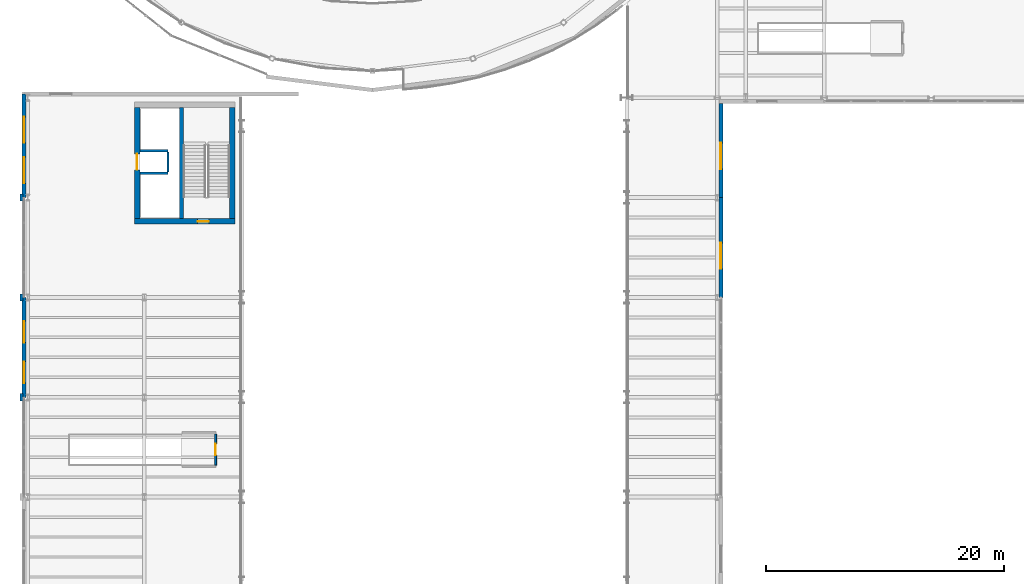
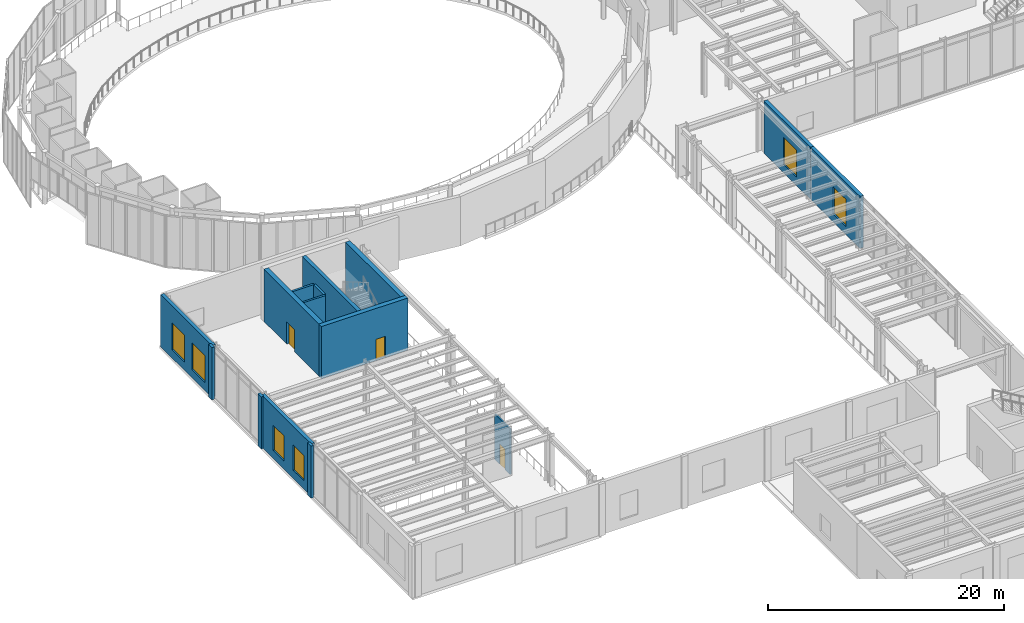
# One storey, part 75 of 98: 15 walls, 6 windows, 3 doors, 9 openings.
"""IFC4 building model written with IfcOpenShell, lengths in metres."""

from ifc_helpers import new_model, si_unit, direction, frame, frame_2d, origin, place, context, subcontext, project, spatial, rectangle, extrude, material, layer, layer_set, type_object, element, fill, save


model = new_model("IFC4")

# Units and contexts
model_context = context("Model", 3, precision=1e-05, world=origin(), true_north=direction((0.0, 1.0)))
body_context = subcontext(model_context, "Body", "Model", "MODEL_VIEW")
ifc_project = project(units=[si_unit("LENGTHUNIT", "METRE"), si_unit("AREAUNIT", "SQUARE_METRE"), si_unit("VOLUMEUNIT", "CUBIC_METRE"), si_unit("PLANEANGLEUNIT", "RADIAN"), si_unit("MASSUNIT", "GRAM", prefix="KILO")], contexts=[model_context])

# Site, building, storey
site_placement = place(None, origin())
site = spatial("IfcSite", under=ifc_project, at=site_placement, CompositionType="ELEMENT")
building_placement = place(site_placement, origin())
building = spatial("IfcBuilding", under=site, at=building_placement, Name="Sollismere Congress Hotel", CompositionType="ELEMENT")
storey_placement = place(building_placement, frame((0.0, 0.0, 5.39990234375)))
storey = spatial("IfcBuildingStorey", under=building, at=storey_placement, Name="L01", CompositionType="ELEMENT", Elevation=5.39990234375)

# Wall, openings, windows
ifc_material_1 = material(Name="Colorado Buff Sandstone and Limestone Backup C40/50", Category="masonry")
ifc_layer_1 = layer(ifc_material_1, 0.340087890625, Name="Colorado Buff Sandstone and Limestone Backup C40/50")
ifc_layer_set_1 = layer_set([ifc_layer_1], Name="Colorado Buff Sandstone and Limestone Backup C40/50")
wall_type_1 = type_object("IfcWallType", Name="WL-EXT340", PredefinedType="STANDARD", material=ifc_layer_set_1)
wall_1_placement = place(storey_placement, frame((-0.31005859375, 41.60009765625, 0.0), z_axis=(0.0, 0.0, 1.0), x_axis=(0.0, 1.0, 0.0)))
wall_1 = element("IfcWall", 1, at=wall_1_placement, inside=storey, type_object=wall_type_1, Name="Exterior wall EW-L01-121", PredefinedType="STANDARD", context=body_context, shape_type="SweptSolid", body=[
    extrude(rectangle(XDim=8.39990234375, YDim=0.340087890625, at=frame_2d((4.199951171875, 0.0))), origin(), (0.0, 0.0, 1.0), 5.400146484375),
])
opening_1_placement = place(wall_1_placement, frame((1.199951171875, 0.0, 0.85009765625)))
opening_1 = element("IfcOpeningElement", 2, at=opening_1_placement, cuts=wall_1, Name="Opening W-L01-112", PredefinedType="OPENING", context=body_context, shape_type="SweptSolid", body=[
    extrude(rectangle(XDim=1.800048828125, YDim=2.60009765625, at=frame_2d((0.89990234375, 1.300048828125))), frame((0.0, 0.179931640625, 0.0), z_axis=(0.0, -1.0, 0.0), x_axis=(1.0, 0.0, 0.0)), (0.0, 0.0, 1.0), 0.360107421875),
])
opening_2_placement = place(wall_1_placement, frame((4.60009765625, 0.0, 0.85009765625)))
opening_2 = element("IfcOpeningElement", 3, at=opening_2_placement, cuts=wall_1, Name="Opening W-L01-113", PredefinedType="OPENING", context=body_context, shape_type="SweptSolid", body=[
    extrude(rectangle(XDim=1.800048828125, YDim=2.60009765625, at=frame_2d((0.89990234375, 1.300048828125))), frame((0.0, 0.179931640625, 0.0), z_axis=(0.0, -1.0, 0.0), x_axis=(1.0, 0.0, 0.0)), (0.0, 0.0, 1.0), 0.360107421875),
])
ifc_material_2 = material(Name="Thermally Broken Bronze Aluminum & Low-E Glass", Category="aluminium")
window_type_1 = type_object("IfcWindowType", Name="WN-A180x260", PartitioningType="SINGLE_PANEL", PredefinedType="WINDOW", material=ifc_material_2)
window_1_placement = place(opening_1_placement, origin())
window_1 = element("IfcWindow", 4, at=window_1_placement, inside=storey, type_object=window_type_1, Name="WIN-W-L01-112", OverallHeight=2.60009765625, OverallWidth=1.800048828125, PartitioningType="SINGLE_PANEL", PredefinedType="WINDOW", context=body_context, shape_type="SweptSolid", body=[
    extrude(rectangle(XDim=1.800048828125, YDim=2.60009765625, at=frame_2d((0.89990234375, 1.300048828125))), frame((0.0, 0.030029296875, 0.0), z_axis=(0.0, -1.0, 0.0), x_axis=(1.0, 0.0, 0.0)), (0.0, 0.0, 1.0), 0.06005859375),
])
fill(opening_1, window_1)
window_2_placement = place(opening_2_placement, origin())
window_2 = element("IfcWindow", 5, at=window_2_placement, inside=storey, type_object=window_type_1, Name="WIN-W-L01-113", OverallHeight=2.60009765625, OverallWidth=1.800048828125, PartitioningType="SINGLE_PANEL", PredefinedType="WINDOW", context=body_context, shape_type="SweptSolid", body=[
    extrude(rectangle(XDim=1.800048828125, YDim=2.60009765625, at=frame_2d((0.89990234375, 1.300048828125))), frame((0.0, 0.030029296875, 0.0), z_axis=(0.0, -1.0, 0.0), x_axis=(1.0, 0.0, 0.0)), (0.0, 0.0, 1.0), 0.06005859375),
])
fill(opening_2, window_2)

wall_2_placement = place(storey_placement, frame((-0.31005859375, 58.39990234375, 0.0), z_axis=(0.0, 0.0, 1.0), x_axis=(0.0, 1.0, 0.0)))
wall_2 = element("IfcWall", 6, at=wall_2_placement, inside=storey, type_object=wall_type_1, Name="Exterior wall EW-L01-124", PredefinedType="STANDARD", context=body_context, shape_type="SweptSolid", body=[
    extrude(rectangle(XDim=8.7001953125, YDim=0.340087890625, at=frame_2d((4.35009765625, 0.0))), origin(), (0.0, 0.0, 1.0), 5.400146484375),
])
opening_3_placement = place(wall_2_placement, frame((1.199951171875, 0.0, 0.85009765625)))
opening_3 = element("IfcOpeningElement", 7, at=opening_3_placement, cuts=wall_2, Name="Opening W-L01-114", PredefinedType="OPENING", context=body_context, shape_type="SweptSolid", body=[
    extrude(rectangle(XDim=2.199951171875, YDim=2.800048828125, at=frame_2d((1.10009765625, 1.39990234375))), frame((0.0, 0.179931640625, 0.0), z_axis=(0.0, -1.0, 0.0), x_axis=(1.0, 0.0, 0.0)), (0.0, 0.0, 1.0), 0.360107421875),
])
opening_4_placement = place(wall_2_placement, frame((4.60009765625, 0.0, 0.85009765625)))
opening_4 = element("IfcOpeningElement", 8, at=opening_4_placement, cuts=wall_2, Name="Opening W-L01-115", PredefinedType="OPENING", context=body_context, shape_type="SweptSolid", body=[
    extrude(rectangle(XDim=2.199951171875, YDim=2.800048828125, at=frame_2d((1.10009765625, 1.39990234375))), frame((0.0, 0.179931640625, 0.0), z_axis=(0.0, -1.0, 0.0), x_axis=(1.0, 0.0, 0.0)), (0.0, 0.0, 1.0), 0.360107421875),
])
window_type_2 = type_object("IfcWindowType", Name="WN-A220x280", PartitioningType="SINGLE_PANEL", PredefinedType="WINDOW", material=ifc_material_2)
window_3_placement = place(opening_3_placement, origin())
window_3 = element("IfcWindow", 9, at=window_3_placement, inside=storey, type_object=window_type_2, Name="WIN-W-L01-114", OverallHeight=2.800048828125, OverallWidth=2.199951171875, PartitioningType="SINGLE_PANEL", PredefinedType="WINDOW", context=body_context, shape_type="SweptSolid", body=[
    extrude(rectangle(XDim=2.199951171875, YDim=2.800048828125, at=frame_2d((1.10009765625, 1.39990234375))), frame((0.0, 0.030029296875, 0.0), z_axis=(0.0, -1.0, 0.0), x_axis=(1.0, 0.0, 0.0)), (0.0, 0.0, 1.0), 0.06005859375),
])
fill(opening_3, window_3)
window_4_placement = place(opening_4_placement, origin())
window_4 = element("IfcWindow", 10, at=window_4_placement, inside=storey, type_object=window_type_2, Name="WIN-W-L01-115", OverallHeight=2.800048828125, OverallWidth=2.199951171875, PartitioningType="SINGLE_PANEL", PredefinedType="WINDOW", context=body_context, shape_type="SweptSolid", body=[
    extrude(rectangle(XDim=2.199951171875, YDim=2.800048828125, at=frame_2d((1.10009765625, 1.39990234375))), frame((0.0, 0.030029296875, 0.0), z_axis=(0.0, -1.0, 0.0), x_axis=(1.0, 0.0, 0.0)), (0.0, 0.0, 1.0), 0.06005859375),
])
fill(opening_4, window_4)

# Wall, opening, window
wall_3_placement = place(storey_placement, frame((58.31005859375, 50.0, 0.0), z_axis=(0.0, 0.0, 1.0), x_axis=(0.0, 1.0, 0.0)))
wall_3 = element("IfcWall", 11, at=wall_3_placement, inside=storey, type_object=wall_type_1, Name="Exterior wall EW-L01-143", PredefinedType="STANDARD", context=body_context, shape_type="SweptSolid", body=[
    extrude(rectangle(XDim=8.39990234375, YDim=0.340087890625, at=frame_2d((4.199951171875, 0.0))), origin(), (0.0, 0.0, 1.0), 5.400146484375),
])
opening_5_placement = place(wall_3_placement, frame((2.39990234375, 0.0, 0.85009765625)))
opening_5 = element("IfcOpeningElement", 12, at=opening_5_placement, cuts=wall_3, Name="Opening W-L01-126", PredefinedType="OPENING", context=body_context, shape_type="SweptSolid", body=[
    extrude(rectangle(XDim=2.199951171875, YDim=2.800048828125, at=frame_2d((1.10009765625, 1.39990234375))), frame((0.0, 0.179931640625, 0.0), z_axis=(0.0, -1.0, 0.0), x_axis=(1.0, 0.0, 0.0)), (0.0, 0.0, 1.0), 0.360107421875),
])
window_5_placement = place(opening_5_placement, origin())
window_5 = element("IfcWindow", 13, at=window_5_placement, inside=storey, type_object=window_type_2, Name="WIN-W-L01-126", OverallHeight=2.800048828125, OverallWidth=2.199951171875, PartitioningType="SINGLE_PANEL", PredefinedType="WINDOW", context=body_context, shape_type="SweptSolid", body=[
    extrude(rectangle(XDim=2.199951171875, YDim=2.800048828125, at=frame_2d((1.10009765625, 1.39990234375))), frame((0.0, 0.030029296875, 0.0), z_axis=(0.0, -1.0, 0.0), x_axis=(1.0, 0.0, 0.0)), (0.0, 0.0, 1.0), 0.06005859375),
])
fill(opening_5, window_5)

wall_4_placement = place(storey_placement, frame((58.31005859375, 58.39990234375, 0.0), z_axis=(0.0, 0.0, 1.0), x_axis=(0.0, 1.0, 0.0)))
wall_4 = element("IfcWall", 14, at=wall_4_placement, inside=storey, type_object=wall_type_1, Name="Exterior wall EW-L01-144", PredefinedType="STANDARD", context=body_context, shape_type="SweptSolid", body=[
    extrude(rectangle(XDim=7.918212890625, YDim=0.340087890625, at=frame_2d((3.958984375, 0.0))), origin(), (0.0, 0.0, 1.0), 5.400146484375),
])
opening_6_placement = place(wall_4_placement, frame((2.39990234375, 0.0, 0.85009765625)))
opening_6 = element("IfcOpeningElement", 15, at=opening_6_placement, cuts=wall_4, Name="Opening W-L01-127", PredefinedType="OPENING", context=body_context, shape_type="SweptSolid", body=[
    extrude(rectangle(XDim=2.199951171875, YDim=2.800048828125, at=frame_2d((1.10009765625, 1.39990234375))), frame((0.0, 0.179931640625, 0.0), z_axis=(0.0, -1.0, 0.0), x_axis=(1.0, 0.0, 0.0)), (0.0, 0.0, 1.0), 0.360107421875),
])
window_6_placement = place(opening_6_placement, origin())
window_6 = element("IfcWindow", 16, at=window_6_placement, inside=storey, type_object=window_type_2, Name="WIN-W-L01-127", OverallHeight=2.800048828125, OverallWidth=2.199951171875, PartitioningType="SINGLE_PANEL", PredefinedType="WINDOW", context=body_context, shape_type="SweptSolid", body=[
    extrude(rectangle(XDim=2.199951171875, YDim=2.800048828125, at=frame_2d((1.10009765625, 1.39990234375))), frame((0.0, 0.030029296875, 0.0), z_axis=(0.0, -1.0, 0.0), x_axis=(1.0, 0.0, 0.0)), (0.0, 0.0, 1.0), 0.06005859375),
])
fill(opening_6, window_6)

# Walls
ifc_material_3 = material(Name="Carved Travertine Pilaster & Frieze Assembly", Category="masonry")
ifc_layer_2 = layer(ifc_material_3, 0.260009765625, Name="Carved Travertine Pilaster & Frieze Assembly")
ifc_layer_set_2 = layer_set([ifc_layer_2], Name="Carved Travertine Pilaster & Frieze Assembly")
wall_type_2 = type_object("IfcWallType", Name="WL-PIL280", PredefinedType="ELEMENTEDWALL", material=ifc_layer_set_2)
wall_5_placement = place(storey_placement, frame((-0.52001953125, 41.300048828125, 0.0), z_axis=(0.0, 0.0, 1.0), x_axis=(0.0, 1.0, 0.0)))
element("IfcWall", 17, at=wall_5_placement, inside=storey, type_object=wall_type_2, Name="Exterior wall EW-L01-122", PredefinedType="ELEMENTEDWALL", context=body_context, shape_type="SweptSolid", body=[
    extrude(rectangle(XDim=0.599853515625, YDim=0.260009765625, at=frame_2d((0.2998046875, 0.0))), origin(), (0.0, 0.0, 1.0), 5.400146484375),
])
wall_6_placement = place(storey_placement, frame((-0.52001953125, 49.699951171875, 0.0), z_axis=(0.0, 0.0, 1.0), x_axis=(0.0, 1.0, 0.0)))
element("IfcWall", 18, at=wall_6_placement, inside=storey, type_object=wall_type_2, Name="Exterior wall EW-L01-123", PredefinedType="ELEMENTEDWALL", context=body_context, shape_type="SweptSolid", body=[
    extrude(rectangle(XDim=0.60009765625, YDim=0.260009765625, at=frame_2d((0.300048828125, 0.0))), origin(), (0.0, 0.0, 1.0), 5.400146484375),
])
wall_7_placement = place(storey_placement, frame((-0.52001953125, 58.10009765625, 0.0), z_axis=(0.0, 0.0, 1.0), x_axis=(0.0, 1.0, 0.0)))
element("IfcWall", 19, at=wall_7_placement, inside=storey, type_object=wall_type_2, Name="Exterior wall EW-L01-125", PredefinedType="ELEMENTEDWALL", context=body_context, shape_type="SweptSolid", body=[
    extrude(rectangle(XDim=0.599853515625, YDim=0.260009765625, at=frame_2d((0.2998046875, 0.0))), origin(), (0.0, 0.0, 1.0), 5.400146484375),
])
ifc_material_4 = material(Name="Moisture-Resistant Shaft Gypsum Assembly")
ifc_layer_3 = layer(ifc_material_4, 0.199951171875, Name="Moisture-Resistant Shaft Gypsum Assembly")
ifc_layer_set_3 = layer_set([ifc_layer_3], Name="Moisture-Resistant Shaft Gypsum Assembly")
wall_type_3 = type_object("IfcWallType", Name="WL-PLM200", PredefinedType="PLUMBINGWALL", material=ifc_layer_set_3)
for number, where, z_axis, x_axis, name in (
    (20, (9.43701171875, 60.455078125, 0.0), (0.0, 0.0, 1.0), (1.0, 0.0, 0.0), "Interior wall IW-L01-0652"),
    (21, (9.43701171875, 62.344970703125, 0.0), (0.0, 0.0, 1.0), (1.0, 0.0, 0.0), "Interior wall IW-L01-0653"),
):
    element("IfcWall", number, at=place(storey_placement, frame(where, z_axis=z_axis, x_axis=x_axis)), inside=storey, type_object=wall_type_3, Name=name, PredefinedType="PLUMBINGWALL", context=body_context, shape_type="SweptSolid", body=[
        extrude(rectangle(XDim=2.363037109375, YDim=0.199951171875, at=frame_2d((1.181640625, 0.0))), origin(), (0.0, 0.0, 1.0), 5.09521484375),
    ])
wall_8_placement = place(storey_placement, frame((11.800048828125, 60.56689453125, 0.0), z_axis=(0.0, 0.0, 1.0), x_axis=(0.0, 1.0, 0.0)))
element("IfcWall", 22, at=wall_8_placement, inside=storey, type_object=wall_type_3, Name="Interior wall IW-L01-0654", PredefinedType="PLUMBINGWALL", context=body_context, shape_type="SweptSolid", body=[
    extrude(rectangle(XDim=1.666015625, YDim=0.199951171875, at=frame_2d((0.8330078125, 0.0))), origin(), (0.0, 0.0, 1.0), 5.09521484375),
])

# Wall, opening, door
ifc_material_5 = material(Name="Fire-Rated Acoustic Gypsum Partition")
ifc_layer_4 = layer(ifc_material_5, 0.1650390625, Name="Fire-Rated Acoustic Gypsum Partition")
ifc_layer_set_4 = layer_set([ifc_layer_4], Name="Fire-Rated Acoustic Gypsum Partition")
wall_type_4 = type_object("IfcWallType", Name="WL-PRT165R", PredefinedType="PARTITIONING", material=ifc_layer_set_4)
wall_9_placement = place(storey_placement, frame((15.800048828125, 35.89453125, 0.0), z_axis=(0.0, 0.0, 1.0), x_axis=(0.0, 1.0, 0.0)))
wall_9 = element("IfcWall", 23, at=wall_9_placement, inside=storey, type_object=wall_type_4, Name="Interior wall IW-L01-0907", PredefinedType="PARTITIONING", context=body_context, shape_type="SweptSolid", body=[
    extrude(rectangle(XDim=2.611083984375, YDim=0.1650390625, at=frame_2d((1.3056640625, 0.0))), origin(), (0.0, 0.0, 1.0), 4.703125),
])
opening_7_placement = place(wall_9_placement, frame((0.8310546875, 0.0, 0.0)))
opening_7 = element("IfcOpeningElement", 24, at=opening_7_placement, cuts=wall_9, Name="Opening D-L01-0314", PredefinedType="OPENING", context=body_context, shape_type="SweptSolid", body=[
    extrude(rectangle(XDim=0.949951171875, YDim=2.14990234375, at=frame_2d((0.47509765625, 1.074951171875))), frame((0.0, 0.092529296875, 0.0), z_axis=(0.0, -1.0, 0.0), x_axis=(1.0, 0.0, 0.0)), (0.0, 0.0, 1.0), 0.18505859375),
])
ifc_material_6 = material(Name="Solid-Core Acoustic Walnut Guestroom Entry Door")
door_type_1 = type_object("IfcDoorType", Name="DR-KY02", OperationType="NOTDEFINED", PredefinedType="DOOR", material=ifc_material_6)
door_1_placement = place(opening_7_placement, origin())
door_1 = element("IfcDoor", 25, at=door_1_placement, inside=storey, type_object=door_type_1, Name="Interior door D-L01-0314", OperationType="SINGLE_SWING_LEFT", OverallHeight=2.14990234375, OverallWidth=0.949951171875, PredefinedType="DOOR", context=body_context, shape_type="SweptSolid", body=[
    extrude(rectangle(XDim=0.949951171875, YDim=2.14990234375, at=frame_2d((0.47509765625, 1.074951171875))), frame((0.0, 0.02490234375, 0.0), z_axis=(0.0, -1.0, 0.0), x_axis=(1.0, 0.0, 0.0)), (0.0, 0.0, 1.0), 0.050048828125),
])
fill(opening_7, door_1)

# Wall
ifc_material_7 = material(Name="Concrete C50/60", Category="concrete")
ifc_layer_5 = layer(ifc_material_7, 0.35009765625, Name="Concrete C50/60")
ifc_layer_set_5 = layer_set([ifc_layer_5], Name="Concrete C50/60")
wall_type_5 = type_object("IfcWallType", Name="WL-SHR350", PredefinedType="SHEAR", material=ifc_layer_set_5)
wall_10_placement = place(storey_placement, frame((12.925048828125, 56.625, 0.0), z_axis=(0.0, 0.0, 1.0), x_axis=(0.0, 1.0, 0.0)))
element("IfcWall", 26, at=wall_10_placement, inside=storey, type_object=wall_type_5, Name="Interior wall IW-L01-0651", PredefinedType="SHEAR", context=body_context, shape_type="SweptSolid", body=[
    extrude(rectangle(XDim=9.35009765625, YDim=0.35009765625, at=frame_2d((4.675048828125, 0.0))), origin(), (0.0, 0.0, 1.0), 5.400146484375),
])

# Wall, opening, door
ifc_layer_6 = layer(ifc_material_7, 0.449951171875, Name="Concrete C50/60")
ifc_layer_set_6 = layer_set([ifc_layer_6], Name="Concrete C50/60")
wall_type_6 = type_object("IfcWallType", Name="WL-SHR450", PredefinedType="SHEAR", material=ifc_layer_set_6)
wall_11_placement = place(storey_placement, frame((8.97509765625, 56.39990234375, 0.0), z_axis=(0.0, 0.0, 1.0), x_axis=(1.0, 0.0, 0.0)))
wall_11 = element("IfcWall", 27, at=wall_11_placement, inside=storey, type_object=wall_type_6, Name="Interior wall IW-L01-0647", PredefinedType="SHEAR", context=body_context, shape_type="SweptSolid", body=[
    extrude(rectangle(XDim=8.449951171875, YDim=0.449951171875, at=frame_2d((4.22509765625, 0.0))), origin(), (0.0, 0.0, 1.0), 5.400146484375),
])
opening_8_placement = place(wall_11_placement, frame((5.324951171875, 0.0, 0.0)))
opening_8 = element("IfcOpeningElement", 28, at=opening_8_placement, cuts=wall_11, Name="Opening D-ST-05-L01", PredefinedType="OPENING", context=body_context, shape_type="SweptSolid", body=[
    extrude(rectangle(XDim=0.949951171875, YDim=2.199951171875, at=frame_2d((0.47509765625, 1.10009765625))), frame((0.0, 0.23486328125, 0.0), z_axis=(0.0, -1.0, 0.0), x_axis=(1.0, 0.0, 0.0)), (0.0, 0.0, 1.0), 0.469970703125),
])
ifc_material_8 = material(Name="Fire-Rated Insulated Steel Door", Category="steel")
door_type_2 = type_object("IfcDoorType", Name="DR-FD90", OperationType="NOTDEFINED", PredefinedType="DOOR", material=ifc_material_8)
door_2_placement = place(opening_8_placement, origin())
door_2 = element("IfcDoor", 29, at=door_2_placement, inside=storey, type_object=door_type_2, Name="Exit stair fire door D-ST-05-L01", OperationType="SINGLE_SWING_LEFT", OverallHeight=2.199951171875, OverallWidth=0.949951171875, PredefinedType="DOOR", context=body_context, shape_type="SweptSolid", body=[
    extrude(rectangle(XDim=0.949951171875, YDim=2.199951171875, at=frame_2d((0.47509765625, 1.10009765625))), frame((0.0, 0.02490234375, 0.0), z_axis=(0.0, -1.0, 0.0), x_axis=(1.0, 0.0, 0.0)), (0.0, 0.0, 1.0), 0.050048828125),
])
fill(opening_8, door_2)

wall_12_placement = place(storey_placement, frame((9.199951171875, 65.97509765625, 0.0), z_axis=(0.0, 0.0, 1.0), x_axis=(0.0, -1.0, 0.0)))
wall_12 = element("IfcWall", 30, at=wall_12_placement, inside=storey, type_object=wall_type_6, Name="Interior wall IW-L01-0649", PredefinedType="SHEAR", context=body_context, shape_type="SweptSolid", body=[
    extrude(rectangle(XDim=9.35009765625, YDim=0.449951171875, at=frame_2d((4.675048828125, 0.0))), origin(), (0.0, 0.0, 1.0), 5.400146484375),
])
opening_9_placement = place(wall_12_placement, frame((3.89990234375, 0.0, 0.0)))
opening_9 = element("IfcOpeningElement", 31, at=opening_9_placement, cuts=wall_12, Name="Opening LD-LS-03-L01", PredefinedType="OPENING", context=body_context, shape_type="SweptSolid", body=[
    extrude(rectangle(XDim=1.35009765625, YDim=2.300048828125, at=frame_2d((0.675048828125, 1.14990234375))), frame((0.0, 0.23486328125, 0.0), z_axis=(0.0, -1.0, 0.0), x_axis=(1.0, 0.0, 0.0)), (0.0, 0.0, 1.0), 0.469970703125),
])
ifc_material_9 = material(Name="Heavy-Duty Stainless Sliding Service Landing Door")
door_type_3 = type_object("IfcDoorType", Name="DR-LD135", OperationType="NOTDEFINED", PredefinedType="DOOR", material=ifc_material_9)
door_3_placement = place(opening_9_placement, origin())
door_3 = element("IfcDoor", 32, at=door_3_placement, inside=storey, type_object=door_type_3, Name="Elevator landing door LD-LS-03-L01", OperationType="SLIDING_TO_LEFT", OverallHeight=2.300048828125, OverallWidth=1.35009765625, PredefinedType="DOOR", context=body_context, shape_type="SweptSolid", body=[
    extrude(rectangle(XDim=1.35009765625, YDim=2.300048828125, at=frame_2d((0.675048828125, 1.14990234375))), frame((0.0, 0.02490234375, 0.0), z_axis=(0.0, -1.0, 0.0), x_axis=(1.0, 0.0, 0.0)), (0.0, 0.0, 1.0), 0.050048828125),
])
fill(opening_9, door_3)

# Wall
wall_13_placement = place(storey_placement, frame((17.199951171875, 56.625, 0.0), z_axis=(0.0, 0.0, 1.0), x_axis=(0.0, 1.0, 0.0)))
element("IfcWall", 33, at=wall_13_placement, inside=storey, type_object=wall_type_6, Name="Interior wall IW-L01-0650", PredefinedType="SHEAR", context=body_context, shape_type="SweptSolid", body=[
    extrude(rectangle(XDim=9.35009765625, YDim=0.449951171875, at=frame_2d((4.675048828125, 0.0))), origin(), (0.0, 0.0, 1.0), 5.400146484375),
])

save(model, "model.ifc")
